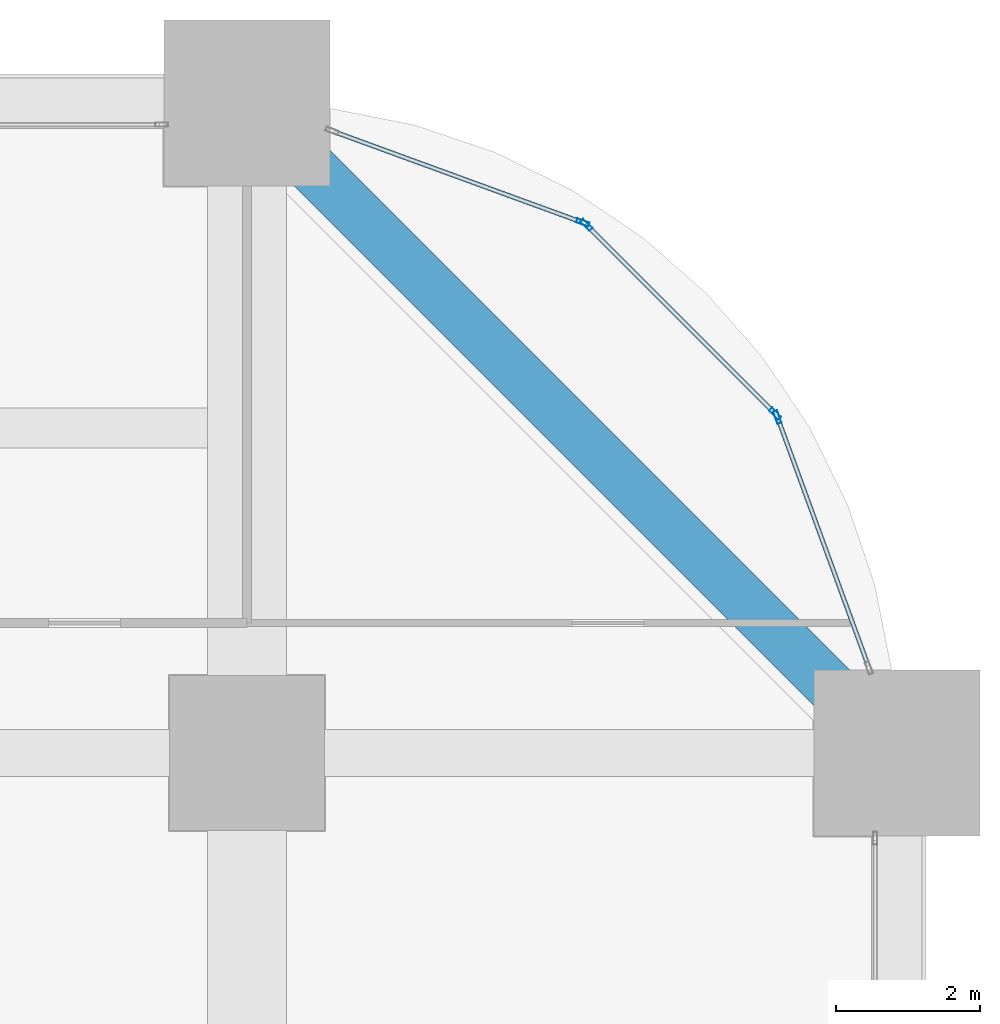
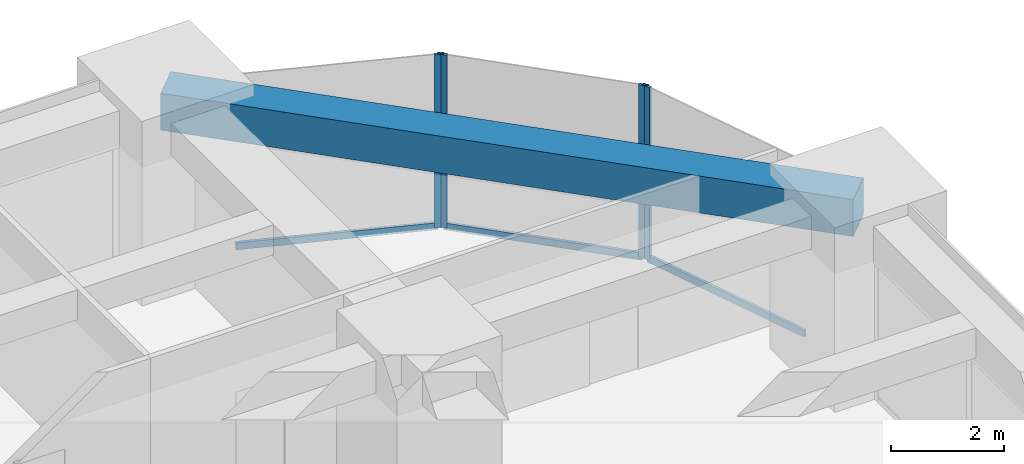
# One storey, part 37 of 44: 7 members, 1 beam, 3 elements without a shape of their own.
"""IFC4 building model written with IfcOpenShell, lengths in metres."""

from ifc_helpers import new_model, si_unit, direction, frame, origin, origin_2d, place, context, subcontext, project, spatial, rectangle, hollow_rectangle, extrude, material, material_profile, profile_set, type_object, element, aggregate, save


model = new_model("IFC4")

# Units and contexts
model_context = context("Model", 3, precision=1e-05, world=origin(), true_north=direction((0.0, 1.0)))
body_context = subcontext(model_context, "Body", "Model", "MODEL_VIEW")
ifc_project = project(units=[si_unit("LENGTHUNIT", "METRE"), si_unit("AREAUNIT", "SQUARE_METRE"), si_unit("VOLUMEUNIT", "CUBIC_METRE"), si_unit("PLANEANGLEUNIT", "RADIAN"), si_unit("MASSUNIT", "GRAM", prefix="KILO")], contexts=[model_context])

# Site, building, storey
site_placement = place(None, origin())
site = spatial("IfcSite", under=ifc_project, at=site_placement, CompositionType="ELEMENT")
building_placement = place(site_placement, origin())
building = spatial("IfcBuilding", under=site, at=building_placement, Name="Zorevar Civic Tower", CompositionType="ELEMENT")
storey_placement = place(building_placement, frame((0.0, 0.0, 59.800048828125)))
storey = spatial("IfcBuildingStorey", under=building, at=storey_placement, Name="L14", CompositionType="ELEMENT", Elevation=59.800048828125)

# Curtain wall, member
ifc_material_1 = material(Name="Dark grey solar-control glass in black aluminium frame", Category="aluminium")
curtain_wall_type = type_object("IfcCurtainWallType", Name="Curtain wall CW2 low zone", PredefinedType="NOTDEFINED", material=ifc_material_1)
curtain_wall_1_placement = place(storey_placement, origin())
curtain_wall_1 = element("IfcCurtainWall", 1, at=curtain_wall_1_placement, inside=storey, type_object=curtain_wall_type, Name="CW2 L14", PredefinedType="NOTDEFINED")
ifc_material_2 = material(Name="Aluminium, black anodised", Category="aluminium")
ifc_material_profile_1 = material_profile(ifc_material_2, hollow_rectangle(XDim=0.06005859375, YDim=0.179931640625, WallThickness=0.00390625, at=origin_2d()), Name="AL 180x60x4")
ifc_profile_set_1 = profile_set([ifc_material_profile_1], Name="Aluminium, black anodised")
member_type_1 = type_object("IfcMemberType", Name="CW2 mullion AL 180x60x4", PredefinedType="MULLION", material=ifc_profile_set_1)
member_1_placement = place(storey_placement, frame((61.34521484375, 49.650390625, 0.0), z_axis=(0.0, 0.0, 1.0), x_axis=(-0.939313345732, -0.343060400701, 0.0)))
member_1 = element("IfcMember", 2, at=member_1_placement, type_object=member_type_1, Name="CW2 mullion 2", PredefinedType="MULLION", context=body_context, shape_type="SweptSolid", body=[
    extrude(hollow_rectangle(XDim=0.06005859375, YDim=0.179931640625, WallThickness=0.00390625, at=origin_2d()), origin(), (0.0, 0.0, 1.0), 3.75),
])

# Curtain wall, members
curtain_wall_2_placement = place(storey_placement, origin())
curtain_wall_2 = element("IfcCurtainWall", 3, at=curtain_wall_2_placement, inside=storey, type_object=curtain_wall_type, Name="CW2 L14", PredefinedType="NOTDEFINED")
member_2_placement = place(storey_placement, frame((61.313720703125, 49.69970703125, 0.0), z_axis=(0.0, 0.0, 1.0), x_axis=(-0.707106781187, -0.707106781187, 0.0)))
member_2 = element("IfcMember", 4, at=member_2_placement, type_object=member_type_1, Name="CW2 mullion 1", PredefinedType="MULLION", context=body_context, shape_type="SweptSolid", body=[
    extrude(hollow_rectangle(XDim=0.06005859375, YDim=0.179931640625, WallThickness=0.00390625, at=origin_2d()), origin(), (0.0, 0.0, 1.0), 3.75),
])
member_3_placement = place(storey_placement, frame((58.69970703125, 52.313720703125, 0.0), z_axis=(0.0, 0.0, 1.0), x_axis=(-0.707106781187, -0.707106781187, 0.0)))
member_3 = element("IfcMember", 5, at=member_3_placement, type_object=member_type_1, Name="CW2 mullion 2", PredefinedType="MULLION", context=body_context, shape_type="SweptSolid", body=[
    extrude(hollow_rectangle(XDim=0.06005859375, YDim=0.179931640625, WallThickness=0.00390625, at=origin_2d()), origin(), (0.0, 0.0, 1.0), 3.75),
])

# Curtain wall, member
curtain_wall_3_placement = place(storey_placement, origin())
curtain_wall_3 = element("IfcCurtainWall", 6, at=curtain_wall_3_placement, inside=storey, type_object=curtain_wall_type, Name="CW2 L14", PredefinedType="NOTDEFINED")
member_4_placement = place(storey_placement, frame((58.650390625, 52.34521484375, 0.0), z_axis=(0.0, 0.0, 1.0), x_axis=(-0.343060400701, -0.939313345732, 0.0)))
member_4 = element("IfcMember", 7, at=member_4_placement, type_object=member_type_1, Name="CW2 mullion 1", PredefinedType="MULLION", context=body_context, shape_type="SweptSolid", body=[
    extrude(hollow_rectangle(XDim=0.06005859375, YDim=0.179931640625, WallThickness=0.00390625, at=origin_2d()), origin(), (0.0, 0.0, 1.0), 3.75),
])

# Member
ifc_material_3 = material(Name="Aluminium, black anodised", Category="aluminium")
ifc_material_profile_2 = material_profile(ifc_material_3, hollow_rectangle(XDim=0.06005859375, YDim=0.14990234375, WallThickness=0.00390625, at=origin_2d()), Name="AL 150x60x4")
ifc_profile_set_2 = profile_set([ifc_material_profile_2], Name="Aluminium, black anodised")
member_type_2 = type_object("IfcMemberType", Name="CW2 transom AL 150x60x4", PredefinedType="USERDEFINED", material=ifc_profile_set_2)
member_5_placement = place(storey_placement, frame((62.60302734375, 46.206298828125, 0.030029296875), z_axis=(-0.343047162808, 0.939318180432, 0.0), x_axis=(-0.939318180432, -0.343047162808, 0.0)))
member_5 = element("IfcMember", 8, at=member_5_placement, type_object=member_type_2, Name="CW2 sill transom", ObjectType="TRANSOM", PredefinedType="USERDEFINED", context=body_context, shape_type="SweptSolid", body=[
    extrude(hollow_rectangle(XDim=0.06005859375, YDim=0.14990234375, WallThickness=0.00390625, at=origin_2d()), origin(), (0.0, 0.0, 1.0), 3.63671875),
])

aggregate(curtain_wall_1, [member_1, member_5])

member_6_placement = place(storey_placement, frame((61.29248046875, 49.720947265625, 0.030029296875), z_axis=(-0.707106781187, 0.707106781187, 0.0), x_axis=(-0.707106781187, -0.707106781187, 0.0)))
member_6 = element("IfcMember", 9, at=member_6_placement, type_object=member_type_2, Name="CW2 sill transom", ObjectType="TRANSOM", PredefinedType="USERDEFINED", context=body_context, shape_type="SweptSolid", body=[
    extrude(hollow_rectangle(XDim=0.06005859375, YDim=0.14990234375, WallThickness=0.00390625, at=origin_2d()), origin(), (0.0, 0.0, 1.0), 3.63671875),
])

aggregate(curtain_wall_2, [member_2, member_3, member_6])

member_7_placement = place(storey_placement, frame((58.622314453125, 52.35546875, 0.030029296875), z_axis=(-0.939318180432, 0.343047162808, 0.0), x_axis=(-0.343047162808, -0.939318180432, 0.0)))
member_7 = element("IfcMember", 10, at=member_7_placement, type_object=member_type_2, Name="CW2 sill transom", ObjectType="TRANSOM", PredefinedType="USERDEFINED", context=body_context, shape_type="SweptSolid", body=[
    extrude(hollow_rectangle(XDim=0.06005859375, YDim=0.14990234375, WallThickness=0.00390625, at=origin_2d()), origin(), (0.0, 0.0, 1.0), 3.63671875),
])

aggregate(curtain_wall_3, [member_4, member_7])

# Beam
ifc_material_4 = material(Name="Concrete C50/60", Category="concrete")
ifc_material_profile_3 = material_profile(ifc_material_4, rectangle(XDim=0.699951171875, YDim=0.800048828125, at=origin_2d()), Name="RC 700x800")
ifc_profile_set_3 = profile_set([ifc_material_profile_3], Name="Concrete C50/60")
beam_type = type_object("IfcBeamType", Name="Edge beam RC 700x800", PredefinedType="SPANDREL", material=ifc_profile_set_3)
beam_placement = place(storey_placement, frame((63.0, 45.0, 3.349853515625), z_axis=(-0.707106781187, 0.707106781187, 0.0), x_axis=(-0.707106781187, -0.707106781187, 0.0)))
element("IfcBeam", 11, at=beam_placement, inside=storey, type_object=beam_type, Name="Corner edge beam L15", PredefinedType="SPANDREL", context=body_context, shape_type="SweptSolid", body=[
    extrude(rectangle(XDim=0.699951171875, YDim=0.800048828125, at=origin_2d()), origin(), (0.0, 0.0, 1.0), 12.72802734375),
])

save(model, "model.ifc")
